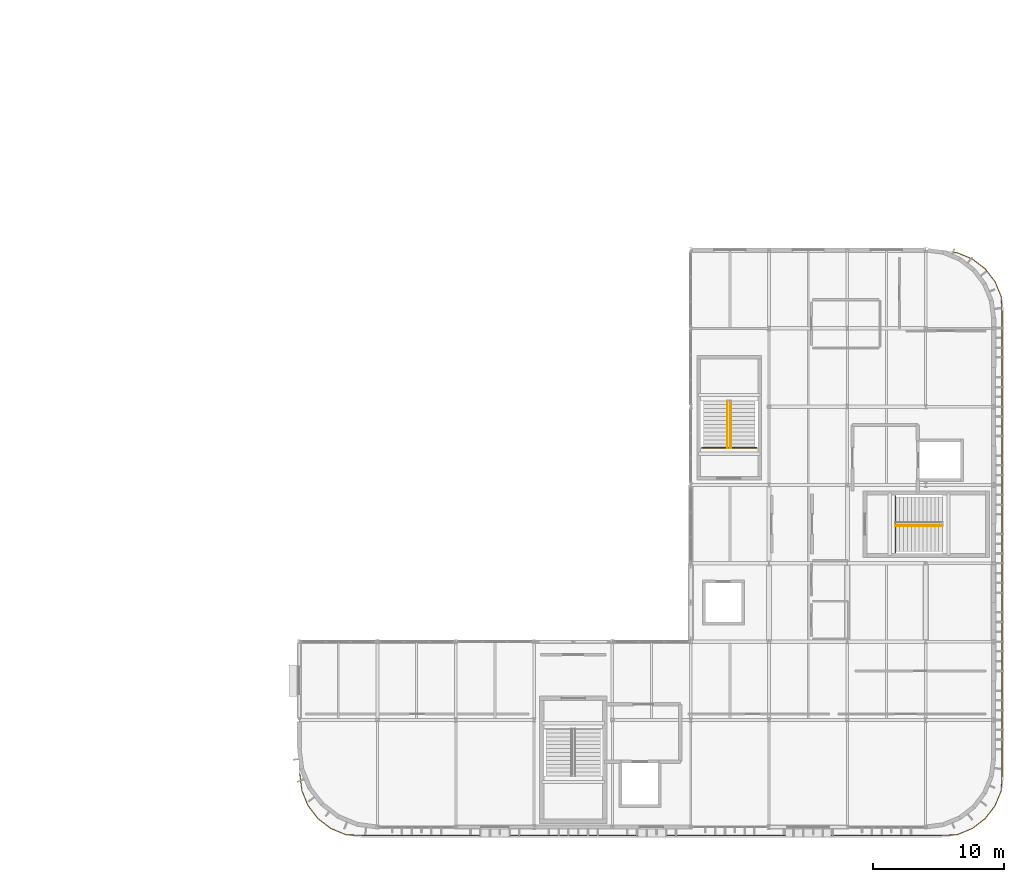
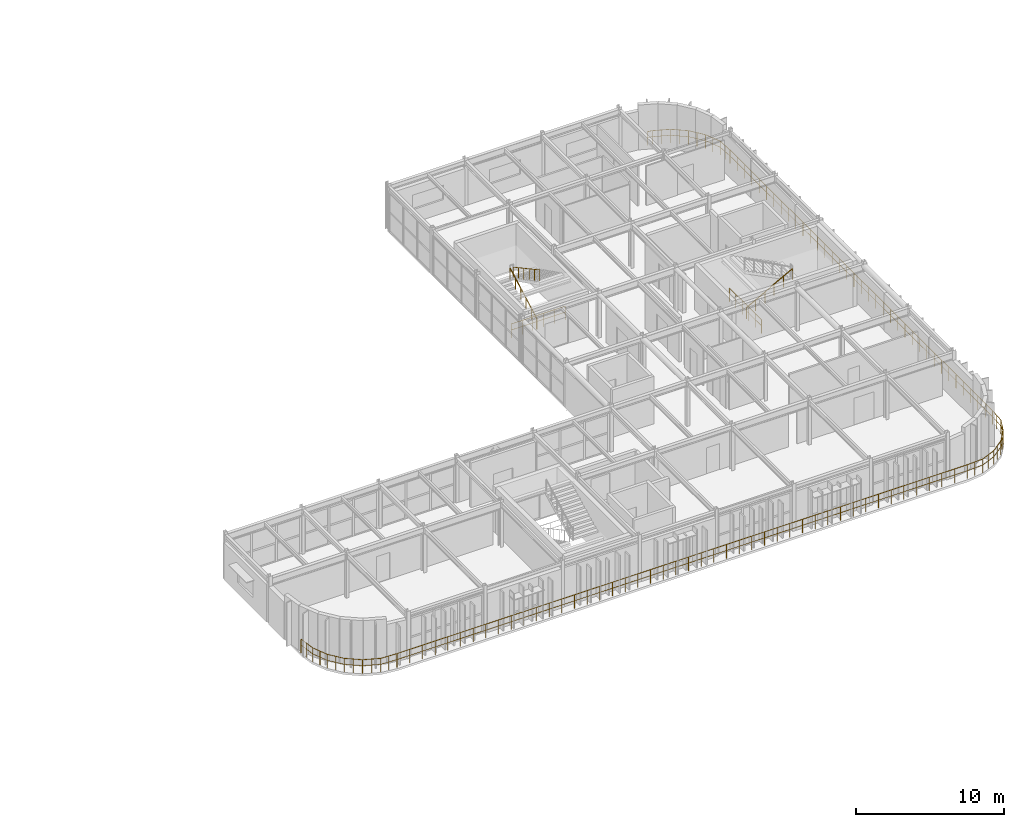
# One storey, part 62 of 63: 6 railings.
"""IFC4 building model written with IfcOpenShell, lengths in metres."""

from ifc_helpers import new_model, si_unit, direction, frame, origin, origin_2d, place, context, subcontext, project, spatial, circle, extrude, material, type_object, element, save


model = new_model("IFC4")

# Units and contexts
model_context = context("Model", 3, precision=1e-05, world=origin(), true_north=direction((0.0, 1.0)))
body_context = subcontext(model_context, "Body", "Model", "MODEL_VIEW")
ifc_project = project(units=[si_unit("LENGTHUNIT", "METRE"), si_unit("AREAUNIT", "SQUARE_METRE"), si_unit("VOLUMEUNIT", "CUBIC_METRE"), si_unit("PLANEANGLEUNIT", "RADIAN"), si_unit("MASSUNIT", "GRAM", prefix="KILO")], contexts=[model_context])

# Site, building, storey
site_placement = place(None, origin())
site = spatial("IfcSite", under=ifc_project, at=site_placement, CompositionType="ELEMENT")
building_placement = place(site_placement, origin())
building = spatial("IfcBuilding", under=site, at=building_placement, Name="Varnakota Square Police Headquarters", CompositionType="ELEMENT")
storey_placement = place(building_placement, frame((0.0, 0.0, 22.199951171875)))
storey = spatial("IfcBuildingStorey", under=building, at=storey_placement, Name="L05", CompositionType="ELEMENT", Elevation=22.199951171875)

# Railings
ifc_material_1 = material(Name="Galvanised Powder-Coated Steel Guardrail", Category="steel")
railing_type_1 = type_object("IfcRailingType", Name="RL-BAL-1150", PredefinedType="BALUSTRADE", material=ifc_material_1)
railing_1_placement = place(storey_placement, frame((158.076171875, 44.834228515625, 0.0)))
element("IfcRailing", 1, at=railing_1_placement, inside=storey, type_object=railing_type_1, Name="Perimeter edge safety guard GD-AUTO-L05-088", PredefinedType="BALUSTRADE", context=body_context, shape_type="SweptSolid", body=[
    extrude(circle(Radius=0.02392578125, at=origin_2d()), frame((0.0, 0.0, 1.1259765625), z_axis=(0.991388830753, -0.130951083454, 0.0), x_axis=(0.130951083454, 0.991388830753, 0.0)), (0.0, 0.0, 1.0), 0.356201171875),
    extrude(circle(Radius=0.01806640625, at=origin_2d()), frame((0.0, 0.0, 0.63232421875), z_axis=(0.991388830753, -0.130951083454, 0.0), x_axis=(0.130951083454, 0.991388830753, 0.0)), (0.0, 0.0, 1.0), 0.356201171875),
    extrude(circle(Radius=0.02392578125, at=origin_2d()), frame((0.35302734375, -0.046630859375, 1.1259765625), z_axis=(0.92391364461, -0.38260106809, 0.0), x_axis=(0.38260106809, 0.92391364461, 0.0)), (0.0, 0.0, 1.0), 1.23974609375),
    extrude(circle(Radius=0.01806640625, at=origin_2d()), frame((0.35302734375, -0.046630859375, 0.63232421875), z_axis=(0.92391364461, -0.38260106809, 0.0), x_axis=(0.38260106809, 0.92391364461, 0.0)), (0.0, 0.0, 1.0), 1.23974609375),
    extrude(circle(Radius=0.02392578125, at=origin_2d()), frame((1.49853515625, -0.52099609375, 1.1259765625), z_axis=(0.793311537696, -0.608815903339, 0.0), x_axis=(0.608815903339, 0.793311537696, 0.0)), (0.0, 0.0, 1.0), 1.239990234375),
    extrude(circle(Radius=0.01806640625, at=origin_2d()), frame((1.49853515625, -0.52099609375, 0.63232421875), z_axis=(0.793311537696, -0.608815903339, 0.0), x_axis=(0.608815903339, 0.793311537696, 0.0)), (0.0, 0.0, 1.0), 1.239990234375),
    extrude(circle(Radius=0.02392578125, at=origin_2d()), frame((2.482177734375, -1.27587890625, 1.1259765625), z_axis=(0.608815903339, -0.793311537696, 0.0), x_axis=(0.793311537696, 0.608815903339, 0.0)), (0.0, 0.0, 1.0), 1.239990234375),
    extrude(circle(Radius=0.01806640625, at=origin_2d()), frame((2.482177734375, -1.27587890625, 0.63232421875), z_axis=(0.608815903339, -0.793311537696, 0.0), x_axis=(0.793311537696, 0.608815903339, 0.0)), (0.0, 0.0, 1.0), 1.239990234375),
    extrude(circle(Radius=0.02392578125, at=origin_2d()), frame((3.237060546875, -2.259521484375, 1.1259765625), z_axis=(0.38260106809, -0.92391364461, 0.0), x_axis=(0.92391364461, 0.38260106809, 0.0)), (0.0, 0.0, 1.0), 1.23974609375),
    extrude(circle(Radius=0.01806640625, at=origin_2d()), frame((3.237060546875, -2.259521484375, 0.63232421875), z_axis=(0.38260106809, -0.92391364461, 0.0), x_axis=(0.92391364461, 0.38260106809, 0.0)), (0.0, 0.0, 1.0), 1.23974609375),
    extrude(circle(Radius=0.02392578125, at=origin_2d()), frame((3.71142578125, -3.405029296875, 1.1259765625), z_axis=(0.05064806659, -0.99871656307, 0.0), x_axis=(0.99871656307, 0.05064806659, 0.0)), (0.0, 0.0, 1.0), 1.23388671875),
    extrude(circle(Radius=0.01806640625, at=origin_2d()), frame((3.71142578125, -3.405029296875, 0.63232421875), z_axis=(0.05064806659, -0.99871656307, 0.0), x_axis=(0.99871656307, 0.05064806659, 0.0)), (0.0, 0.0, 1.0), 1.23388671875),
    extrude(circle(Radius=0.02392578125, at=origin_2d()), frame((3.77392578125, -4.637451171875, 1.1259765625), z_axis=(0.0, -1.0, 0.0), x_axis=(1.0, 0.0, 0.0)), (0.0, 0.0, 1.0), 35.3935546875),
    extrude(circle(Radius=0.01806640625, at=origin_2d()), frame((3.77392578125, -4.637451171875, 0.63232421875), z_axis=(0.0, -1.0, 0.0), x_axis=(1.0, 0.0, 0.0)), (0.0, 0.0, 1.0), 35.3935546875),
    extrude(circle(Radius=0.02392578125, at=origin_2d()), frame((3.77392578125, -40.031005859375, 1.1259765625), z_axis=(-0.05064806659, -0.99871656307, 0.0), x_axis=(0.99871656307, -0.05064806659, 0.0)), (0.0, 0.0, 1.0), 1.23388671875),
    extrude(circle(Radius=0.01806640625, at=origin_2d()), frame((3.77392578125, -40.031005859375, 0.63232421875), z_axis=(-0.05064806659, -0.99871656307, 0.0), x_axis=(0.99871656307, -0.05064806659, 0.0)), (0.0, 0.0, 1.0), 1.23388671875),
    extrude(circle(Radius=0.02392578125, at=origin_2d()), frame((3.71142578125, -41.263427734375, 1.1259765625), z_axis=(-0.38260106809, -0.92391364461, 0.0), x_axis=(0.92391364461, -0.38260106809, 0.0)), (0.0, 0.0, 1.0), 1.23974609375),
    extrude(circle(Radius=0.01806640625, at=origin_2d()), frame((3.71142578125, -41.263427734375, 0.63232421875), z_axis=(-0.38260106809, -0.92391364461, 0.0), x_axis=(0.92391364461, -0.38260106809, 0.0)), (0.0, 0.0, 1.0), 1.23974609375),
    extrude(circle(Radius=0.02392578125, at=origin_2d()), frame((3.237060546875, -42.408935546875, 1.1259765625), z_axis=(-0.608815903339, -0.793311537696, 0.0), x_axis=(0.793311537696, -0.608815903339, 0.0)), (0.0, 0.0, 1.0), 1.239990234375),
    extrude(circle(Radius=0.01806640625, at=origin_2d()), frame((3.237060546875, -42.408935546875, 0.63232421875), z_axis=(-0.608815903339, -0.793311537696, 0.0), x_axis=(0.793311537696, -0.608815903339, 0.0)), (0.0, 0.0, 1.0), 1.239990234375),
    extrude(circle(Radius=0.02392578125, at=origin_2d()), frame((2.482177734375, -43.392578125, 1.1259765625), z_axis=(-0.793311537696, -0.608815903339, 0.0), x_axis=(0.608815903339, -0.793311537696, 0.0)), (0.0, 0.0, 1.0), 1.239990234375),
    extrude(circle(Radius=0.01806640625, at=origin_2d()), frame((2.482177734375, -43.392578125, 0.63232421875), z_axis=(-0.793311537696, -0.608815903339, 0.0), x_axis=(0.608815903339, -0.793311537696, 0.0)), (0.0, 0.0, 1.0), 1.239990234375),
    extrude(circle(Radius=0.02392578125, at=origin_2d()), frame((1.49853515625, -44.1474609375, 1.1259765625), z_axis=(-0.92391364461, -0.38260106809, 0.0), x_axis=(0.38260106809, -0.92391364461, 0.0)), (0.0, 0.0, 1.0), 1.23974609375),
    extrude(circle(Radius=0.01806640625, at=origin_2d()), frame((1.49853515625, -44.1474609375, 0.63232421875), z_axis=(-0.92391364461, -0.38260106809, 0.0), x_axis=(0.38260106809, -0.92391364461, 0.0)), (0.0, 0.0, 1.0), 1.23974609375),
    extrude(circle(Radius=0.02392578125, at=origin_2d()), frame((0.35302734375, -44.621826171875, 1.1259765625), z_axis=(-0.99871656307, -0.05064806659, 0.0), x_axis=(0.05064806659, -0.99871656307, 0.0)), (0.0, 0.0, 1.0), 1.23388671875),
    extrude(circle(Radius=0.01806640625, at=origin_2d()), frame((0.35302734375, -44.621826171875, 0.63232421875), z_axis=(-0.99871656307, -0.05064806659, 0.0), x_axis=(0.05064806659, -0.99871656307, 0.0)), (0.0, 0.0, 1.0), 1.23388671875),
    extrude(circle(Radius=0.02392578125, at=origin_2d()), frame((-0.87939453125, -44.684326171875, 1.1259765625), z_axis=(-1.0, 0.0, 0.0), x_axis=(0.0, -1.0, 0.0)), (0.0, 0.0, 1.0), 44.3935546875),
    extrude(circle(Radius=0.01806640625, at=origin_2d()), frame((-0.87939453125, -44.684326171875, 0.63232421875), z_axis=(-1.0, 0.0, 0.0), x_axis=(0.0, -1.0, 0.0)), (0.0, 0.0, 1.0), 44.3935546875),
    extrude(circle(Radius=0.02392578125, at=origin_2d()), frame((-45.27294921875, -44.684326171875, 1.1259765625), z_axis=(-0.99871656307, 0.05064806659, 0.0), x_axis=(-0.05064806659, -0.99871656307, 0.0)), (0.0, 0.0, 1.0), 1.23388671875),
    extrude(circle(Radius=0.01806640625, at=origin_2d()), frame((-45.27294921875, -44.684326171875, 0.63232421875), z_axis=(-0.99871656307, 0.05064806659, 0.0), x_axis=(-0.05064806659, -0.99871656307, 0.0)), (0.0, 0.0, 1.0), 1.23388671875),
    extrude(circle(Radius=0.02392578125, at=origin_2d()), frame((-46.50537109375, -44.621826171875, 1.1259765625), z_axis=(-0.92391364461, 0.38260106809, 0.0), x_axis=(-0.38260106809, -0.92391364461, 0.0)), (0.0, 0.0, 1.0), 1.23974609375),
    extrude(circle(Radius=0.01806640625, at=origin_2d()), frame((-46.50537109375, -44.621826171875, 0.63232421875), z_axis=(-0.92391364461, 0.38260106809, 0.0), x_axis=(-0.38260106809, -0.92391364461, 0.0)), (0.0, 0.0, 1.0), 1.23974609375),
    extrude(circle(Radius=0.02392578125, at=origin_2d()), frame((-47.65087890625, -44.1474609375, 1.1259765625), z_axis=(-0.793311537696, 0.608815903339, 0.0), x_axis=(-0.608815903339, -0.793311537696, 0.0)), (0.0, 0.0, 1.0), 1.239990234375),
    extrude(circle(Radius=0.01806640625, at=origin_2d()), frame((-47.65087890625, -44.1474609375, 0.63232421875), z_axis=(-0.793311537696, 0.608815903339, 0.0), x_axis=(-0.608815903339, -0.793311537696, 0.0)), (0.0, 0.0, 1.0), 1.239990234375),
    extrude(circle(Radius=0.02392578125, at=origin_2d()), frame((-48.634521484375, -43.392578125, 1.1259765625), z_axis=(-0.608815903339, 0.793311537696, 0.0), x_axis=(-0.793311537696, -0.608815903339, 0.0)), (0.0, 0.0, 1.0), 1.239990234375),
    extrude(circle(Radius=0.01806640625, at=origin_2d()), frame((-48.634521484375, -43.392578125, 0.63232421875), z_axis=(-0.608815903339, 0.793311537696, 0.0), x_axis=(-0.793311537696, -0.608815903339, 0.0)), (0.0, 0.0, 1.0), 1.239990234375),
    extrude(circle(Radius=0.02392578125, at=origin_2d()), frame((-49.389404296875, -42.408935546875, 1.1259765625), z_axis=(-0.38260106809, 0.92391364461, 0.0), x_axis=(-0.92391364461, -0.38260106809, 0.0)), (0.0, 0.0, 1.0), 1.23974609375),
    extrude(circle(Radius=0.01806640625, at=origin_2d()), frame((-49.389404296875, -42.408935546875, 0.63232421875), z_axis=(-0.38260106809, 0.92391364461, 0.0), x_axis=(-0.92391364461, -0.38260106809, 0.0)), (0.0, 0.0, 1.0), 1.23974609375),
    extrude(circle(Radius=0.02392578125, at=origin_2d()), frame((-49.86376953125, -41.263427734375, 1.1259765625), z_axis=(-0.124750448097, 0.992188150352, 0.0), x_axis=(-0.992188150352, -0.124750448097, 0.0)), (0.0, 0.0, 1.0), 1.301513671875),
    extrude(circle(Radius=0.01806640625, at=origin_2d()), frame((-49.86376953125, -41.263427734375, 0.63232421875), z_axis=(-0.124750448097, 0.992188150352, 0.0), x_axis=(-0.992188150352, -0.124750448097, 0.0)), (0.0, 0.0, 1.0), 1.301513671875),
    extrude(circle(Radius=0.02099609375, at=origin_2d()), origin(), (0.0, 0.0, 1.0), 1.101806640625),
    extrude(circle(Radius=0.02099609375, at=origin_2d()), frame((0.35302734375, -0.046630859375, 0.0)), (0.0, 0.0, 1.0), 1.101806640625),
    extrude(circle(Radius=0.02099609375, at=origin_2d()), frame((0.92578125, -0.28369140625, 0.0)), (0.0, 0.0, 1.0), 1.101806640625),
    extrude(circle(Radius=0.02099609375, at=origin_2d()), frame((1.49853515625, -0.52099609375, 0.0)), (0.0, 0.0, 1.0), 1.101806640625),
    extrude(circle(Radius=0.02099609375, at=origin_2d()), frame((1.990234375, -0.8984375, 0.0)), (0.0, 0.0, 1.0), 1.101806640625),
    extrude(circle(Radius=0.02099609375, at=origin_2d()), frame((2.482177734375, -1.27587890625, 0.0)), (0.0, 0.0, 1.0), 1.101806640625),
    extrude(circle(Radius=0.02099609375, at=origin_2d()), frame((2.859619140625, -1.767578125, 0.0)), (0.0, 0.0, 1.0), 1.101806640625),
    extrude(circle(Radius=0.02099609375, at=origin_2d()), frame((3.237060546875, -2.259521484375, 0.0)), (0.0, 0.0, 1.0), 1.101806640625),
    extrude(circle(Radius=0.02099609375, at=origin_2d()), frame((3.47412109375, -2.832275390625, 0.0)), (0.0, 0.0, 1.0), 1.101806640625),
    extrude(circle(Radius=0.02099609375, at=origin_2d()), frame((3.71142578125, -3.405029296875, 0.0)), (0.0, 0.0, 1.0), 1.101806640625),
    extrude(circle(Radius=0.02099609375, at=origin_2d()), frame((3.74267578125, -4.021240234375, 0.0)), (0.0, 0.0, 1.0), 1.101806640625),
    extrude(circle(Radius=0.02099609375, at=origin_2d()), frame((3.77392578125, -4.637451171875, 0.0)), (0.0, 0.0, 1.0), 1.101806640625),
    extrude(circle(Radius=0.02099609375, at=origin_2d()), frame((3.77392578125, -5.62060546875, 0.0)), (0.0, 0.0, 1.0), 1.101806640625),
    extrude(circle(Radius=0.02099609375, at=origin_2d()), frame((3.77392578125, -6.603759765625, 0.0)), (0.0, 0.0, 1.0), 1.101806640625),
    extrude(circle(Radius=0.02099609375, at=origin_2d()), frame((3.77392578125, -7.5869140625, 0.0)), (0.0, 0.0, 1.0), 1.101806640625),
    extrude(circle(Radius=0.02099609375, at=origin_2d()), frame((3.77392578125, -8.570068359375, 0.0)), (0.0, 0.0, 1.0), 1.101806640625),
    extrude(circle(Radius=0.02099609375, at=origin_2d()), frame((3.77392578125, -9.55322265625, 0.0)), (0.0, 0.0, 1.0), 1.101806640625),
    extrude(circle(Radius=0.02099609375, at=origin_2d()), frame((3.77392578125, -10.536376953125, 0.0)), (0.0, 0.0, 1.0), 1.101806640625),
    extrude(circle(Radius=0.02099609375, at=origin_2d()), frame((3.77392578125, -11.51953125, 0.0)), (0.0, 0.0, 1.0), 1.101806640625),
    extrude(circle(Radius=0.02099609375, at=origin_2d()), frame((3.77392578125, -12.502685546875, 0.0)), (0.0, 0.0, 1.0), 1.101806640625),
    extrude(circle(Radius=0.02099609375, at=origin_2d()), frame((3.77392578125, -13.48583984375, 0.0)), (0.0, 0.0, 1.0), 1.101806640625),
    extrude(circle(Radius=0.02099609375, at=origin_2d()), frame((3.77392578125, -14.468994140625, 0.0)), (0.0, 0.0, 1.0), 1.101806640625),
    extrude(circle(Radius=0.02099609375, at=origin_2d()), frame((3.77392578125, -15.4521484375, 0.0)), (0.0, 0.0, 1.0), 1.101806640625),
    extrude(circle(Radius=0.02099609375, at=origin_2d()), frame((3.77392578125, -16.435302734375, 0.0)), (0.0, 0.0, 1.0), 1.101806640625),
    extrude(circle(Radius=0.02099609375, at=origin_2d()), frame((3.77392578125, -17.41845703125, 0.0)), (0.0, 0.0, 1.0), 1.101806640625),
    extrude(circle(Radius=0.02099609375, at=origin_2d()), frame((3.77392578125, -18.401611328125, 0.0)), (0.0, 0.0, 1.0), 1.101806640625),
    extrude(circle(Radius=0.02099609375, at=origin_2d()), frame((3.77392578125, -19.384765625, 0.0)), (0.0, 0.0, 1.0), 1.101806640625),
    extrude(circle(Radius=0.02099609375, at=origin_2d()), frame((3.77392578125, -20.367919921875, 0.0)), (0.0, 0.0, 1.0), 1.101806640625),
    extrude(circle(Radius=0.02099609375, at=origin_2d()), frame((3.77392578125, -21.35107421875, 0.0)), (0.0, 0.0, 1.0), 1.101806640625),
    extrude(circle(Radius=0.02099609375, at=origin_2d()), frame((3.77392578125, -22.334228515625, 0.0)), (0.0, 0.0, 1.0), 1.101806640625),
    extrude(circle(Radius=0.02099609375, at=origin_2d()), frame((3.77392578125, -23.3173828125, 0.0)), (0.0, 0.0, 1.0), 1.101806640625),
    extrude(circle(Radius=0.02099609375, at=origin_2d()), frame((3.77392578125, -24.300537109375, 0.0)), (0.0, 0.0, 1.0), 1.101806640625),
    extrude(circle(Radius=0.02099609375, at=origin_2d()), frame((3.77392578125, -25.28369140625, 0.0)), (0.0, 0.0, 1.0), 1.101806640625),
    extrude(circle(Radius=0.02099609375, at=origin_2d()), frame((3.77392578125, -26.266845703125, 0.0)), (0.0, 0.0, 1.0), 1.101806640625),
    extrude(circle(Radius=0.02099609375, at=origin_2d()), frame((3.77392578125, -27.25, 0.0)), (0.0, 0.0, 1.0), 1.101806640625),
    extrude(circle(Radius=0.02099609375, at=origin_2d()), frame((3.77392578125, -28.233154296875, 0.0)), (0.0, 0.0, 1.0), 1.101806640625),
    extrude(circle(Radius=0.02099609375, at=origin_2d()), frame((3.77392578125, -29.21630859375, 0.0)), (0.0, 0.0, 1.0), 1.101806640625),
    extrude(circle(Radius=0.02099609375, at=origin_2d()), frame((3.77392578125, -30.199462890625, 0.0)), (0.0, 0.0, 1.0), 1.101806640625),
    extrude(circle(Radius=0.02099609375, at=origin_2d()), frame((3.77392578125, -31.1826171875, 0.0)), (0.0, 0.0, 1.0), 1.101806640625),
    extrude(circle(Radius=0.02099609375, at=origin_2d()), frame((3.77392578125, -32.165771484375, 0.0)), (0.0, 0.0, 1.0), 1.101806640625),
    extrude(circle(Radius=0.02099609375, at=origin_2d()), frame((3.77392578125, -33.14892578125, 0.0)), (0.0, 0.0, 1.0), 1.101806640625),
    extrude(circle(Radius=0.02099609375, at=origin_2d()), frame((3.77392578125, -34.132080078125, 0.0)), (0.0, 0.0, 1.0), 1.101806640625),
    extrude(circle(Radius=0.02099609375, at=origin_2d()), frame((3.77392578125, -35.115234375, 0.0)), (0.0, 0.0, 1.0), 1.101806640625),
    extrude(circle(Radius=0.02099609375, at=origin_2d()), frame((3.77392578125, -36.098388671875, 0.0)), (0.0, 0.0, 1.0), 1.101806640625),
    extrude(circle(Radius=0.02099609375, at=origin_2d()), frame((3.77392578125, -37.08154296875, 0.0)), (0.0, 0.0, 1.0), 1.101806640625),
    extrude(circle(Radius=0.02099609375, at=origin_2d()), frame((3.77392578125, -38.064697265625, 0.0)), (0.0, 0.0, 1.0), 1.101806640625),
    extrude(circle(Radius=0.02099609375, at=origin_2d()), frame((3.77392578125, -39.0478515625, 0.0)), (0.0, 0.0, 1.0), 1.101806640625),
    extrude(circle(Radius=0.02099609375, at=origin_2d()), frame((3.77392578125, -40.031005859375, 0.0)), (0.0, 0.0, 1.0), 1.101806640625),
    extrude(circle(Radius=0.02099609375, at=origin_2d()), frame((3.74267578125, -40.647216796875, 0.0)), (0.0, 0.0, 1.0), 1.101806640625),
    extrude(circle(Radius=0.02099609375, at=origin_2d()), frame((3.71142578125, -41.263427734375, 0.0)), (0.0, 0.0, 1.0), 1.101806640625),
    extrude(circle(Radius=0.02099609375, at=origin_2d()), frame((3.47412109375, -41.836181640625, 0.0)), (0.0, 0.0, 1.0), 1.101806640625),
    extrude(circle(Radius=0.02099609375, at=origin_2d()), frame((3.237060546875, -42.408935546875, 0.0)), (0.0, 0.0, 1.0), 1.101806640625),
    extrude(circle(Radius=0.02099609375, at=origin_2d()), frame((2.859619140625, -42.90087890625, 0.0)), (0.0, 0.0, 1.0), 1.101806640625),
    extrude(circle(Radius=0.02099609375, at=origin_2d()), frame((2.482177734375, -43.392578125, 0.0)), (0.0, 0.0, 1.0), 1.101806640625),
    extrude(circle(Radius=0.02099609375, at=origin_2d()), frame((1.990234375, -43.77001953125, 0.0)), (0.0, 0.0, 1.0), 1.101806640625),
    extrude(circle(Radius=0.02099609375, at=origin_2d()), frame((1.49853515625, -44.1474609375, 0.0)), (0.0, 0.0, 1.0), 1.101806640625),
    extrude(circle(Radius=0.02099609375, at=origin_2d()), frame((0.92578125, -44.384765625, 0.0)), (0.0, 0.0, 1.0), 1.101806640625),
    extrude(circle(Radius=0.02099609375, at=origin_2d()), frame((0.35302734375, -44.621826171875, 0.0)), (0.0, 0.0, 1.0), 1.101806640625),
    extrude(circle(Radius=0.02099609375, at=origin_2d()), frame((-0.26318359375, -44.653076171875, 0.0)), (0.0, 0.0, 1.0), 1.101806640625),
    extrude(circle(Radius=0.02099609375, at=origin_2d()), frame((-0.87939453125, -44.684326171875, 0.0)), (0.0, 0.0, 1.0), 1.101806640625),
    extrude(circle(Radius=0.02099609375, at=origin_2d()), frame((-1.865966796875, -44.684326171875, 0.0)), (0.0, 0.0, 1.0), 1.101806640625),
    extrude(circle(Radius=0.02099609375, at=origin_2d()), frame((-2.8525390625, -44.684326171875, 0.0)), (0.0, 0.0, 1.0), 1.101806640625),
    extrude(circle(Radius=0.02099609375, at=origin_2d()), frame((-3.8388671875, -44.684326171875, 0.0)), (0.0, 0.0, 1.0), 1.101806640625),
    extrude(circle(Radius=0.02099609375, at=origin_2d()), frame((-4.825439453125, -44.684326171875, 0.0)), (0.0, 0.0, 1.0), 1.101806640625),
    extrude(circle(Radius=0.02099609375, at=origin_2d()), frame((-5.81201171875, -44.684326171875, 0.0)), (0.0, 0.0, 1.0), 1.101806640625),
    extrude(circle(Radius=0.02099609375, at=origin_2d()), frame((-6.798583984375, -44.684326171875, 0.0)), (0.0, 0.0, 1.0), 1.101806640625),
    extrude(circle(Radius=0.02099609375, at=origin_2d()), frame((-7.78515625, -44.684326171875, 0.0)), (0.0, 0.0, 1.0), 1.101806640625),
    extrude(circle(Radius=0.02099609375, at=origin_2d()), frame((-8.771484375, -44.684326171875, 0.0)), (0.0, 0.0, 1.0), 1.101806640625),
    extrude(circle(Radius=0.02099609375, at=origin_2d()), frame((-9.758056640625, -44.684326171875, 0.0)), (0.0, 0.0, 1.0), 1.101806640625),
    extrude(circle(Radius=0.02099609375, at=origin_2d()), frame((-10.74462890625, -44.684326171875, 0.0)), (0.0, 0.0, 1.0), 1.101806640625),
    extrude(circle(Radius=0.02099609375, at=origin_2d()), frame((-11.731201171875, -44.684326171875, 0.0)), (0.0, 0.0, 1.0), 1.101806640625),
    extrude(circle(Radius=0.02099609375, at=origin_2d()), frame((-12.7177734375, -44.684326171875, 0.0)), (0.0, 0.0, 1.0), 1.101806640625),
    extrude(circle(Radius=0.02099609375, at=origin_2d()), frame((-13.7041015625, -44.684326171875, 0.0)), (0.0, 0.0, 1.0), 1.101806640625),
    extrude(circle(Radius=0.02099609375, at=origin_2d()), frame((-14.690673828125, -44.684326171875, 0.0)), (0.0, 0.0, 1.0), 1.101806640625),
    extrude(circle(Radius=0.02099609375, at=origin_2d()), frame((-15.67724609375, -44.684326171875, 0.0)), (0.0, 0.0, 1.0), 1.101806640625),
    extrude(circle(Radius=0.02099609375, at=origin_2d()), frame((-16.663818359375, -44.684326171875, 0.0)), (0.0, 0.0, 1.0), 1.101806640625),
    extrude(circle(Radius=0.02099609375, at=origin_2d()), frame((-17.650390625, -44.684326171875, 0.0)), (0.0, 0.0, 1.0), 1.101806640625),
    extrude(circle(Radius=0.02099609375, at=origin_2d()), frame((-18.63671875, -44.684326171875, 0.0)), (0.0, 0.0, 1.0), 1.101806640625),
    extrude(circle(Radius=0.02099609375, at=origin_2d()), frame((-19.623291015625, -44.684326171875, 0.0)), (0.0, 0.0, 1.0), 1.101806640625),
    extrude(circle(Radius=0.02099609375, at=origin_2d()), frame((-20.60986328125, -44.684326171875, 0.0)), (0.0, 0.0, 1.0), 1.101806640625),
    extrude(circle(Radius=0.02099609375, at=origin_2d()), frame((-21.596435546875, -44.684326171875, 0.0)), (0.0, 0.0, 1.0), 1.101806640625),
    extrude(circle(Radius=0.02099609375, at=origin_2d()), frame((-22.5830078125, -44.684326171875, 0.0)), (0.0, 0.0, 1.0), 1.101806640625),
    extrude(circle(Radius=0.02099609375, at=origin_2d()), frame((-23.5693359375, -44.684326171875, 0.0)), (0.0, 0.0, 1.0), 1.101806640625),
    extrude(circle(Radius=0.02099609375, at=origin_2d()), frame((-24.555908203125, -44.684326171875, 0.0)), (0.0, 0.0, 1.0), 1.101806640625),
    extrude(circle(Radius=0.02099609375, at=origin_2d()), frame((-25.54248046875, -44.684326171875, 0.0)), (0.0, 0.0, 1.0), 1.101806640625),
    extrude(circle(Radius=0.02099609375, at=origin_2d()), frame((-26.529052734375, -44.684326171875, 0.0)), (0.0, 0.0, 1.0), 1.101806640625),
    extrude(circle(Radius=0.02099609375, at=origin_2d()), frame((-27.515625, -44.684326171875, 0.0)), (0.0, 0.0, 1.0), 1.101806640625),
    extrude(circle(Radius=0.02099609375, at=origin_2d()), frame((-28.501953125, -44.684326171875, 0.0)), (0.0, 0.0, 1.0), 1.101806640625),
    extrude(circle(Radius=0.02099609375, at=origin_2d()), frame((-29.488525390625, -44.684326171875, 0.0)), (0.0, 0.0, 1.0), 1.101806640625),
    extrude(circle(Radius=0.02099609375, at=origin_2d()), frame((-30.47509765625, -44.684326171875, 0.0)), (0.0, 0.0, 1.0), 1.101806640625),
    extrude(circle(Radius=0.02099609375, at=origin_2d()), frame((-31.461669921875, -44.684326171875, 0.0)), (0.0, 0.0, 1.0), 1.101806640625),
    extrude(circle(Radius=0.02099609375, at=origin_2d()), frame((-32.4482421875, -44.684326171875, 0.0)), (0.0, 0.0, 1.0), 1.101806640625),
    extrude(circle(Radius=0.02099609375, at=origin_2d()), frame((-33.4345703125, -44.684326171875, 0.0)), (0.0, 0.0, 1.0), 1.101806640625),
    extrude(circle(Radius=0.02099609375, at=origin_2d()), frame((-34.421142578125, -44.684326171875, 0.0)), (0.0, 0.0, 1.0), 1.101806640625),
    extrude(circle(Radius=0.02099609375, at=origin_2d()), frame((-35.40771484375, -44.684326171875, 0.0)), (0.0, 0.0, 1.0), 1.101806640625),
    extrude(circle(Radius=0.02099609375, at=origin_2d()), frame((-36.394287109375, -44.684326171875, 0.0)), (0.0, 0.0, 1.0), 1.101806640625),
    extrude(circle(Radius=0.02099609375, at=origin_2d()), frame((-37.380859375, -44.684326171875, 0.0)), (0.0, 0.0, 1.0), 1.101806640625),
    extrude(circle(Radius=0.02099609375, at=origin_2d()), frame((-38.3671875, -44.684326171875, 0.0)), (0.0, 0.0, 1.0), 1.101806640625),
    extrude(circle(Radius=0.02099609375, at=origin_2d()), frame((-39.353759765625, -44.684326171875, 0.0)), (0.0, 0.0, 1.0), 1.101806640625),
    extrude(circle(Radius=0.02099609375, at=origin_2d()), frame((-40.34033203125, -44.684326171875, 0.0)), (0.0, 0.0, 1.0), 1.101806640625),
    extrude(circle(Radius=0.02099609375, at=origin_2d()), frame((-41.326904296875, -44.684326171875, 0.0)), (0.0, 0.0, 1.0), 1.101806640625),
    extrude(circle(Radius=0.02099609375, at=origin_2d()), frame((-42.3134765625, -44.684326171875, 0.0)), (0.0, 0.0, 1.0), 1.101806640625),
    extrude(circle(Radius=0.02099609375, at=origin_2d()), frame((-43.2998046875, -44.684326171875, 0.0)), (0.0, 0.0, 1.0), 1.101806640625),
    extrude(circle(Radius=0.02099609375, at=origin_2d()), frame((-44.286376953125, -44.684326171875, 0.0)), (0.0, 0.0, 1.0), 1.101806640625),
    extrude(circle(Radius=0.02099609375, at=origin_2d()), frame((-45.27294921875, -44.684326171875, 0.0)), (0.0, 0.0, 1.0), 1.101806640625),
    extrude(circle(Radius=0.02099609375, at=origin_2d()), frame((-45.88916015625, -44.653076171875, 0.0)), (0.0, 0.0, 1.0), 1.101806640625),
    extrude(circle(Radius=0.02099609375, at=origin_2d()), frame((-46.50537109375, -44.621826171875, 0.0)), (0.0, 0.0, 1.0), 1.101806640625),
    extrude(circle(Radius=0.02099609375, at=origin_2d()), frame((-47.078125, -44.384765625, 0.0)), (0.0, 0.0, 1.0), 1.101806640625),
    extrude(circle(Radius=0.02099609375, at=origin_2d()), frame((-47.65087890625, -44.1474609375, 0.0)), (0.0, 0.0, 1.0), 1.101806640625),
    extrude(circle(Radius=0.02099609375, at=origin_2d()), frame((-48.142578125, -43.77001953125, 0.0)), (0.0, 0.0, 1.0), 1.101806640625),
    extrude(circle(Radius=0.02099609375, at=origin_2d()), frame((-48.634521484375, -43.392578125, 0.0)), (0.0, 0.0, 1.0), 1.101806640625),
    extrude(circle(Radius=0.02099609375, at=origin_2d()), frame((-49.011962890625, -42.90087890625, 0.0)), (0.0, 0.0, 1.0), 1.101806640625),
    extrude(circle(Radius=0.02099609375, at=origin_2d()), frame((-49.389404296875, -42.408935546875, 0.0)), (0.0, 0.0, 1.0), 1.101806640625),
    extrude(circle(Radius=0.02099609375, at=origin_2d()), frame((-49.62646484375, -41.836181640625, 0.0)), (0.0, 0.0, 1.0), 1.101806640625),
    extrude(circle(Radius=0.02099609375, at=origin_2d()), frame((-49.86376953125, -41.263427734375, 0.0)), (0.0, 0.0, 1.0), 1.101806640625),
    extrude(circle(Radius=0.02099609375, at=origin_2d()), frame((-49.94482421875, -40.61767578125, 0.0)), (0.0, 0.0, 1.0), 1.101806640625),
    extrude(circle(Radius=0.02099609375, at=origin_2d()), frame((-50.026123046875, -39.97216796875, 0.0)), (0.0, 0.0, 1.0), 1.101806640625),
])
ifc_material_2 = material(Name="Brushed Stainless Steel Tubular Handrail", Category="steel")
railing_type_2 = type_object("IfcRailingType", Name="RL-HND-920", PredefinedType="HANDRAIL", material=ifc_material_2)
railing_2_placement = place(storey_placement, frame((153.699951171875, 23.8798828125, 0.0)))
element("IfcRailing", 2, at=railing_2_placement, inside=storey, type_object=railing_type_2, Name="Stair flight handrail HR-L05-025", PredefinedType="HANDRAIL", context=body_context, shape_type="SweptSolid", body=[
    extrude(circle(Radius=0.02392578125, at=origin_2d()), frame((0.0, 0.0, 0.89599609375), z_axis=(0.879329418667, 0.0, 0.476213999654), x_axis=(0.0, 1.0, 0.0)), (0.0, 0.0, 1.0), 4.0947265625),
    extrude(circle(Radius=0.02099609375, at=origin_2d()), origin(), (0.0, 0.0, 1.0), 0.871826171875),
    extrude(circle(Radius=0.02099609375, at=origin_2d()), frame((0.72021484375, 0.0, 0.389892578125)), (0.0, 0.0, 1.0), 0.871826171875),
    extrude(circle(Radius=0.02099609375, at=origin_2d()), frame((1.440185546875, 0.0, 0.780029296875)), (0.0, 0.0, 1.0), 0.871826171875),
    extrude(circle(Radius=0.02099609375, at=origin_2d()), frame((2.160400390625, 0.0, 1.169921875)), (0.0, 0.0, 1.0), 0.871826171875),
    extrude(circle(Radius=0.02099609375, at=origin_2d()), frame((2.88037109375, 0.0, 1.56005859375)), (0.0, 0.0, 1.0), 0.871826171875),
    extrude(circle(Radius=0.02099609375, at=origin_2d()), frame((3.6005859375, 0.0, 1.949951171875)), (0.0, 0.0, 1.0), 0.871826171875),
])
railing_3_placement = place(storey_placement, frame((140.829833984375, 29.85009765625, 0.0)))
element("IfcRailing", 3, at=railing_3_placement, inside=storey, type_object=railing_type_2, Name="Stair flight handrail HR-L05-039", PredefinedType="HANDRAIL", context=body_context, shape_type="SweptSolid", body=[
    extrude(circle(Radius=0.02392578125, at=origin_2d()), frame((0.0, 0.0, 0.89599609375), z_axis=(0.0, 0.879329418667, 0.476213999654), x_axis=(-1.0, 0.0, 0.0)), (0.0, 0.0, 1.0), 4.0947265625),
    extrude(circle(Radius=0.02099609375, at=origin_2d()), origin(), (0.0, 0.0, 1.0), 0.871826171875),
    extrude(circle(Radius=0.02099609375, at=origin_2d()), frame((0.0, 0.72021484375, 0.389892578125)), (0.0, 0.0, 1.0), 0.871826171875),
    extrude(circle(Radius=0.02099609375, at=origin_2d()), frame((0.0, 1.440185546875, 0.780029296875)), (0.0, 0.0, 1.0), 0.871826171875),
    extrude(circle(Radius=0.02099609375, at=origin_2d()), frame((0.0, 2.160400390625, 1.169921875)), (0.0, 0.0, 1.0), 0.871826171875),
    extrude(circle(Radius=0.02099609375, at=origin_2d()), frame((0.0, 2.88037109375, 1.56005859375)), (0.0, 0.0, 1.0), 0.871826171875),
    extrude(circle(Radius=0.02099609375, at=origin_2d()), frame((0.0, 3.6005859375, 1.949951171875)), (0.0, 0.0, 1.0), 0.871826171875),
])
railing_4_placement = place(storey_placement, frame((141.070068359375, 33.45068359375, 1.949951171875)))
element("IfcRailing", 4, at=railing_4_placement, inside=storey, type_object=railing_type_2, Name="Stair flight handrail HR-L05-040", PredefinedType="HANDRAIL", context=body_context, shape_type="SweptSolid", body=[
    extrude(circle(Radius=0.02392578125, at=origin_2d()), frame((0.0, 0.0, 0.89599609375), z_axis=(0.0, -0.87930445083, 0.476260099894), x_axis=(1.0, 0.0, 0.0)), (0.0, 0.0, 1.0), 4.0947265625),
    extrude(circle(Radius=0.02099609375, at=origin_2d()), origin(), (0.0, 0.0, 1.0), 0.871826171875),
    extrude(circle(Radius=0.02099609375, at=origin_2d()), frame((0.0, -0.72021484375, 0.39013671875)), (0.0, 0.0, 1.0), 0.871826171875),
    extrude(circle(Radius=0.02099609375, at=origin_2d()), frame((0.0, -1.440185546875, 0.780029296875)), (0.0, 0.0, 1.0), 0.871826171875),
    extrude(circle(Radius=0.02099609375, at=origin_2d()), frame((0.0, -2.160400390625, 1.170166015625)), (0.0, 0.0, 1.0), 0.871826171875),
    extrude(circle(Radius=0.02099609375, at=origin_2d()), frame((0.0, -2.88037109375, 1.56005859375)), (0.0, 0.0, 1.0), 0.871826171875),
    extrude(circle(Radius=0.02099609375, at=origin_2d()), frame((0.0, -3.6005859375, 1.9501953125)), (0.0, 0.0, 1.0), 0.871826171875),
])
ifc_material_3 = material(Name="Laminated Glass and Stainless Steel Balustrade", Category="steel")
railing_type_3 = type_object("IfcRailingType", Name="RL-INT-1150", PredefinedType="BALUSTRADE", material=ifc_material_3)
railing_5_placement = place(storey_placement, frame((153.699951171875, 21.840087890625, 0.0)))
element("IfcRailing", 5, at=railing_5_placement, inside=storey, type_object=railing_type_3, Name="Stair well safety guard C2 L05", PredefinedType="BALUSTRADE", context=body_context, shape_type="SweptSolid", body=[
    extrude(circle(Radius=0.02392578125, at=origin_2d()), frame((0.0, 0.0, 1.1259765625), z_axis=(0.0, 1.0, 0.0), x_axis=(-1.0, 0.0, 0.0)), (0.0, 0.0, 1.0), 4.31982421875),
    extrude(circle(Radius=0.01806640625, at=origin_2d()), frame((0.0, 0.0, 0.63232421875), z_axis=(0.0, 1.0, 0.0), x_axis=(-1.0, 0.0, 0.0)), (0.0, 0.0, 1.0), 4.31982421875),
    extrude(circle(Radius=0.02099609375, at=origin_2d()), origin(), (0.0, 0.0, 1.0), 1.101806640625),
    extrude(circle(Radius=0.02099609375, at=origin_2d()), frame((0.0, 0.864013671875, 0.0)), (0.0, 0.0, 1.0), 1.101806640625),
    extrude(circle(Radius=0.02099609375, at=origin_2d()), frame((0.0, 1.72802734375, 0.0)), (0.0, 0.0, 1.0), 1.101806640625),
    extrude(circle(Radius=0.02099609375, at=origin_2d()), frame((0.0, 2.591796875, 0.0)), (0.0, 0.0, 1.0), 1.101806640625),
    extrude(circle(Radius=0.02099609375, at=origin_2d()), frame((0.0, 3.455810546875, 0.0)), (0.0, 0.0, 1.0), 1.101806640625),
    extrude(circle(Radius=0.02099609375, at=origin_2d()), frame((0.0, 4.31982421875, 0.0)), (0.0, 0.0, 1.0), 1.101806640625),
])
railing_6_placement = place(storey_placement, frame((138.840087890625, 29.85009765625, 0.0)))
element("IfcRailing", 6, at=railing_6_placement, inside=storey, type_object=railing_type_3, Name="Stair well safety guard C3 L05", PredefinedType="BALUSTRADE", context=body_context, shape_type="SweptSolid", body=[
    extrude(circle(Radius=0.02392578125, at=origin_2d()), frame((0.0, 0.0, 1.1259765625), z_axis=(1.0, 0.0, 0.0), x_axis=(0.0, 1.0, 0.0)), (0.0, 0.0, 1.0), 4.219970703125),
    extrude(circle(Radius=0.01806640625, at=origin_2d()), frame((0.0, 0.0, 0.63232421875), z_axis=(1.0, 0.0, 0.0), x_axis=(0.0, 1.0, 0.0)), (0.0, 0.0, 1.0), 4.219970703125),
    extrude(circle(Radius=0.02099609375, at=origin_2d()), origin(), (0.0, 0.0, 1.0), 1.101806640625),
    extrude(circle(Radius=0.02099609375, at=origin_2d()), frame((0.843994140625, 0.0, 0.0)), (0.0, 0.0, 1.0), 1.101806640625),
    extrude(circle(Radius=0.02099609375, at=origin_2d()), frame((1.68798828125, 0.0, 0.0)), (0.0, 0.0, 1.0), 1.101806640625),
    extrude(circle(Radius=0.02099609375, at=origin_2d()), frame((2.531982421875, 0.0, 0.0)), (0.0, 0.0, 1.0), 1.101806640625),
    extrude(circle(Radius=0.02099609375, at=origin_2d()), frame((3.3759765625, 0.0, 0.0)), (0.0, 0.0, 1.0), 1.101806640625),
    extrude(circle(Radius=0.02099609375, at=origin_2d()), frame((4.219970703125, 0.0, 0.0)), (0.0, 0.0, 1.0), 1.101806640625),
])

save(model, "model.ifc")
